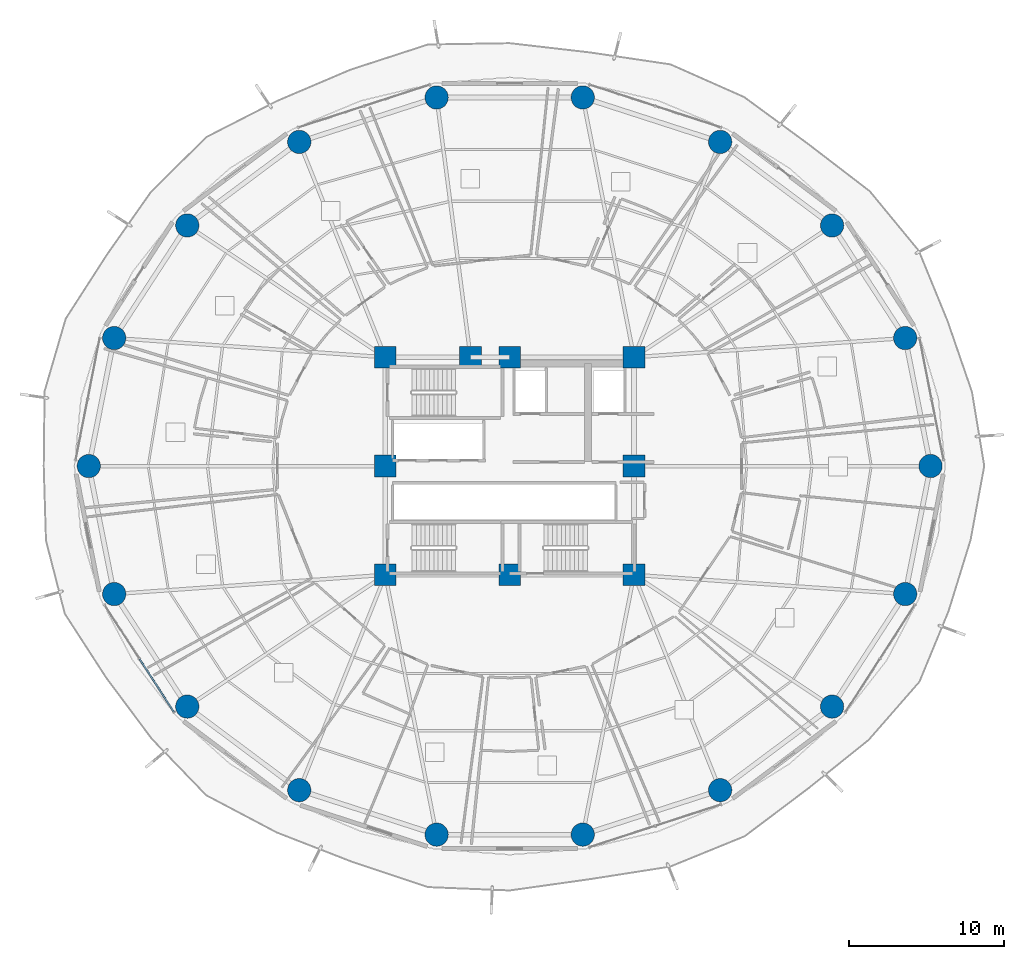
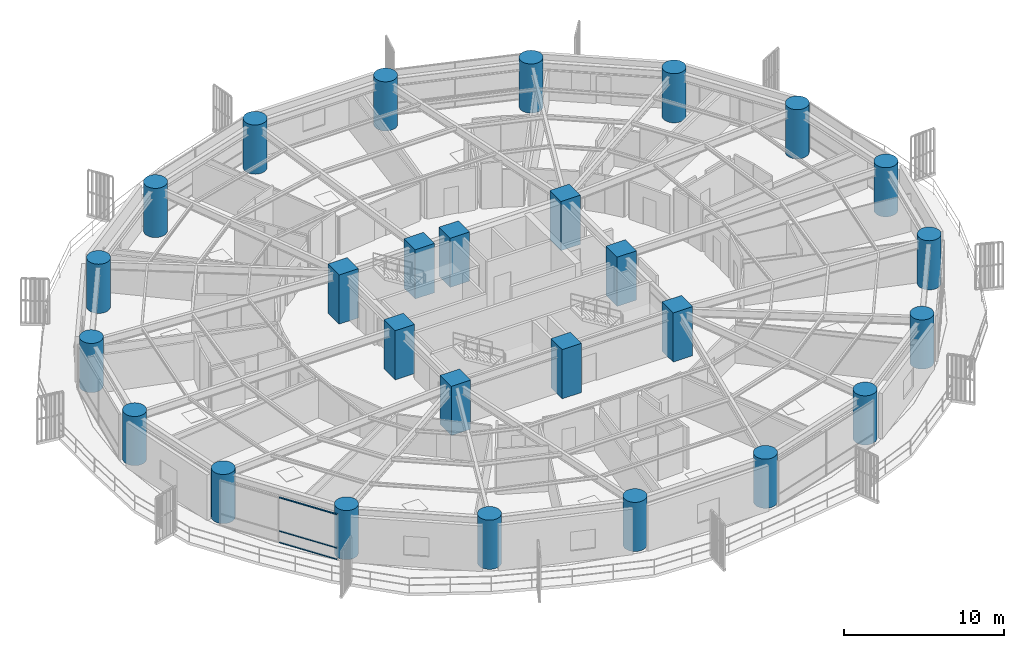
# One storey, part 1 of 32: 27 columns, 3 members, 1 element without a shape of its own.
"""IFC4 building model written with IfcOpenShell, lengths in metres."""

from ifc_helpers import new_model, si_unit, direction, frame, origin, origin_2d, place, context, subcontext, project, spatial, rectangle, hollow_rectangle, circle, extrude, material, layer, layer_set, material_profile, profile_set, type_object, element, aggregate, save


model = new_model("IFC4")

# Units and contexts
model_context = context("Model", 3, precision=1e-05, world=origin(), true_north=direction((0.0, 1.0)))
body_context = subcontext(model_context, "Body", "Model", "MODEL_VIEW")
ifc_project = project(units=[si_unit("LENGTHUNIT", "METRE"), si_unit("AREAUNIT", "SQUARE_METRE"), si_unit("VOLUMEUNIT", "CUBIC_METRE"), si_unit("PLANEANGLEUNIT", "RADIAN"), si_unit("MASSUNIT", "GRAM", prefix="KILO")], contexts=[model_context])

# Site, building, storey
site_placement = place(None, origin())
site = spatial("IfcSite", under=ifc_project, at=site_placement, CompositionType="ELEMENT")
building_placement = place(site_placement, origin())
building = spatial("IfcBuilding", under=site, at=building_placement, Name="Kelanora Arch Commons", CompositionType="ELEMENT")
storey_placement = place(building_placement, frame((0.0, 0.0, 52.5)))
storey = spatial("IfcBuildingStorey", under=building, at=storey_placement, Name="L13", CompositionType="ELEMENT", Elevation=52.5)

# Columns
ifc_material_1 = material(Name="Concrete C60/75", Category="concrete")
ifc_material_profile_1 = material_profile(ifc_material_1, circle(Radius=0.75, at=origin_2d()), Name="RCC1500")
ifc_profile_set_1 = profile_set([ifc_material_profile_1], Name="Concrete C60/75")
column_type_1 = type_object("IfcColumnType", Name="COL-PERIM-Z1", PredefinedType="COLUMN", material=ifc_profile_set_1)
for number, where, z_axis, x_axis, name in (
    (1, (101.080078125, 58.0, 0.0), (0.0, 0.0, 1.0), (1.0, 0.0, 0.0), "Perimeter Ring Column CP-00 L13"),
    (2, (99.447021484375, 66.23583984375, 0.0), (0.0, 0.0, 1.0), (1.0, 0.0, 0.0), "Perimeter Ring Column CP-02 L13"),
    (3, (94.744384765625, 73.478271484375, 0.0), (0.0, 0.0, 1.0), (1.0, 0.0, 0.0), "Perimeter Ring Column CP-04 L13"),
    (4, (87.5400390625, 78.85400390625, 0.0), (0.0, 0.0, 1.0), (1.0, 0.0, 0.0), "Perimeter Ring Column CP-06 L13"),
    (5, (78.702392578125, 81.714111328125, 0.0), (0.0, 0.0, 1.0), (1.0, 0.0, 0.0), "Perimeter Ring Column CP-08 L13"),
    (6, (69.297607421875, 81.714111328125, 0.0), (0.0, 0.0, 1.0), (1.0, 0.0, 0.0), "Perimeter Ring Column CP-10 L13"),
    (7, (60.4599609375, 78.85400390625, 0.0), (0.0, 0.0, 1.0), (1.0, 0.0, 0.0), "Perimeter Ring Column CP-12 L13"),
    (8, (53.255615234375, 73.478271484375, 0.0), (0.0, 0.0, 1.0), (1.0, 0.0, 0.0), "Perimeter Ring Column CP-14 L13"),
    (9, (48.552978515625, 66.23583984375, 0.0), (0.0, 0.0, 1.0), (1.0, 0.0, 0.0), "Perimeter Ring Column CP-16 L13"),
    (10, (46.919921875, 58.0, 0.0), (0.0, 0.0, 1.0), (1.0, 0.0, 0.0), "Perimeter Ring Column CP-18 L13"),
    (11, (48.552978515625, 49.76416015625, 0.0), (0.0, 0.0, 1.0), (1.0, 0.0, 0.0), "Perimeter Ring Column CP-20 L13"),
    (12, (53.255615234375, 42.521728515625, 0.0), (0.0, 0.0, 1.0), (1.0, 0.0, 0.0), "Perimeter Ring Column CP-22 L13"),
    (13, (60.4599609375, 37.14599609375, 0.0), (0.0, 0.0, 1.0), (1.0, 0.0, 0.0), "Perimeter Ring Column CP-24 L13"),
    (14, (69.297607421875, 34.285888671875, 0.0), (0.0, 0.0, 1.0), (1.0, 0.0, 0.0), "Perimeter Ring Column CP-26 L13"),
    (15, (78.702392578125, 34.285888671875, 0.0), (0.0, 0.0, 1.0), (1.0, 0.0, 0.0), "Perimeter Ring Column CP-28 L13"),
    (16, (87.5400390625, 37.14599609375, 0.0), (0.0, 0.0, 1.0), (1.0, 0.0, 0.0), "Perimeter Ring Column CP-30 L13"),
    (17, (94.744384765625, 42.521728515625, 0.0), (0.0, 0.0, 1.0), (1.0, 0.0, 0.0), "Perimeter Ring Column CP-32 L13"),
    (18, (99.447021484375, 49.76416015625, 0.0), (0.0, 0.0, 1.0), (1.0, 0.0, 0.0), "Perimeter Ring Column CP-34 L13"),
):
    element("IfcColumn", number, at=place(storey_placement, frame(where, z_axis=z_axis, x_axis=x_axis)), inside=storey, type_object=column_type_1, Name=name, PredefinedType="COLUMN", context=body_context, shape_type="SweptSolid", body=[
        extrude(circle(Radius=0.75, at=origin_2d()), origin(), (0.0, 0.0, 1.0), 3.75),
    ])
ifc_material_profile_2 = material_profile(ifc_material_1, rectangle(XDim=1.39990234375, YDim=1.39990234375, at=origin_2d()), Name="RC1400x1400")
ifc_profile_set_2 = profile_set([ifc_material_profile_2], Name="Concrete C60/75")
column_type_2 = type_object("IfcColumnType", Name="COL-PIL-LOW", PredefinedType="PILASTER", material=ifc_profile_set_2)
for number, where, z_axis, x_axis, name in (
    (19, (66.0, 51.0, 0.0), (0.0, 0.0, 1.0), (1.0, 0.0, 0.0), "Core Pilaster Column CP1 L13"),
    (20, (74.0, 51.0, 0.0), (0.0, 0.0, 1.0), (1.0, 0.0, 0.0), "Core Pilaster Column CP2 L13"),
    (21, (82.0, 51.0, 0.0), (0.0, 0.0, 1.0), (1.0, 0.0, 0.0), "Core Pilaster Column CP3 L13"),
    (22, (82.0, 58.0, 0.0), (0.0, 0.0, 1.0), (1.0, 0.0, 0.0), "Core Pilaster Column CP4 L13"),
    (23, (82.0, 65.0, 0.0), (0.0, 0.0, 1.0), (1.0, 0.0, 0.0), "Core Pilaster Column CP5 L13"),
    (24, (74.0, 65.0, 0.0), (0.0, 0.0, 1.0), (1.0, 0.0, 0.0), "Core Pilaster Column CP6 L13"),
    (25, (71.47998046875, 65.0, 0.0), (0.0, 0.0, 1.0), (1.0, 0.0, 0.0), "Core Pilaster Column CP9 L13"),
    (26, (66.0, 65.0, 0.0), (0.0, 0.0, 1.0), (1.0, 0.0, 0.0), "Core Pilaster Column CP7 L13"),
    (27, (66.0, 58.0, 0.0), (0.0, 0.0, 1.0), (1.0, 0.0, 0.0), "Core Pilaster Column CP8 L13"),
):
    element("IfcColumn", number, at=place(storey_placement, frame(where, z_axis=z_axis, x_axis=x_axis)), inside=storey, type_object=column_type_2, Name=name, PredefinedType="PILASTER", context=body_context, shape_type="SweptSolid", body=[
        extrude(rectangle(XDim=1.39990234375, YDim=1.39990234375, at=origin_2d()), origin(), (0.0, 0.0, 1.0), 3.75),
    ])

# Curtain wall, members
ifc_material_2 = material(Name="Terracotta ceramic-fritted low-E glass and aluminium", Category="masonry")
ifc_layer = layer(ifc_material_2, 0.159912109375)
ifc_layer_set = layer_set([ifc_layer], Name="Terracotta ceramic-fritted low-E glass and aluminium")
curtain_wall_type = type_object("IfcCurtainWallType", Name="CW-SYS-01", PredefinedType="NOTDEFINED", material=ifc_layer_set)
curtain_wall_placement = place(storey_placement, origin())
curtain_wall = element("IfcCurtainWall", 28, at=curtain_wall_placement, inside=storey, type_object=curtain_wall_type, Name="Unitised Curtain Wall L13-B10", PredefinedType="NOTDEFINED")
ifc_material_3 = material(Name="Powder-coated aluminium terracotta", Category="masonry")
ifc_material_profile_3 = material_profile(ifc_material_3, hollow_rectangle(XDim=0.1201171875, YDim=0.06005859375, WallThickness=0.0048828125, InnerFilletRadius=0.0048828125, OuterFilletRadius=0.010009765625, at=origin_2d()), Name="CWT120x60")
ifc_profile_set_3 = profile_set([ifc_material_profile_3], Name="Powder-coated aluminium terracotta")
member_type = type_object("IfcMemberType", Name="CWT-STD", PredefinedType="USERDEFINED", material=ifc_profile_set_3)
member_1_placement = place(storey_placement, frame((50.185546875, 45.588134765625, 0.030029296875), z_axis=(0.542997414293, -0.839734367566, 0.0), x_axis=(0.839734367566, 0.542997414293, 0.0)))
member_1 = element("IfcMember", 29, at=member_1_placement, type_object=member_type, Name="CW-01 transom 2.1", ObjectType="TRANSOM", PredefinedType="USERDEFINED", context=body_context, shape_type="SweptSolid", body=[
    extrude(hollow_rectangle(XDim=0.1201171875, YDim=0.06005859375, WallThickness=0.0048828125, InnerFilletRadius=0.0048828125, OuterFilletRadius=0.010009765625, at=origin_2d()), origin(), (0.0, 0.0, 1.0), 4.067626953125),
])
member_2_placement = place(storey_placement, frame((50.185546875, 45.588134765625, 0.89990234375), z_axis=(0.542997414293, -0.839734367566, 0.0), x_axis=(0.839734367566, 0.542997414293, 0.0)))
member_2 = element("IfcMember", 30, at=member_2_placement, type_object=member_type, Name="CW-01 transom 2.2", ObjectType="TRANSOM", PredefinedType="USERDEFINED", context=body_context, shape_type="SweptSolid", body=[
    extrude(hollow_rectangle(XDim=0.1201171875, YDim=0.06005859375, WallThickness=0.0048828125, InnerFilletRadius=0.0048828125, OuterFilletRadius=0.010009765625, at=origin_2d()), origin(), (0.0, 0.0, 1.0), 4.067626953125),
])
member_3_placement = place(storey_placement, frame((50.185546875, 45.588134765625, 3.445068359375), z_axis=(0.542997414293, -0.839734367566, 0.0), x_axis=(0.839734367566, 0.542997414293, 0.0)))
member_3 = element("IfcMember", 31, at=member_3_placement, type_object=member_type, Name="CW-01 transom 2.3", ObjectType="TRANSOM", PredefinedType="USERDEFINED", context=body_context, shape_type="SweptSolid", body=[
    extrude(hollow_rectangle(XDim=0.1201171875, YDim=0.06005859375, WallThickness=0.0048828125, InnerFilletRadius=0.0048828125, OuterFilletRadius=0.010009765625, at=origin_2d()), origin(), (0.0, 0.0, 1.0), 4.067626953125),
])
aggregate(curtain_wall, [member_1, member_2, member_3])

save(model, "model.ifc")
